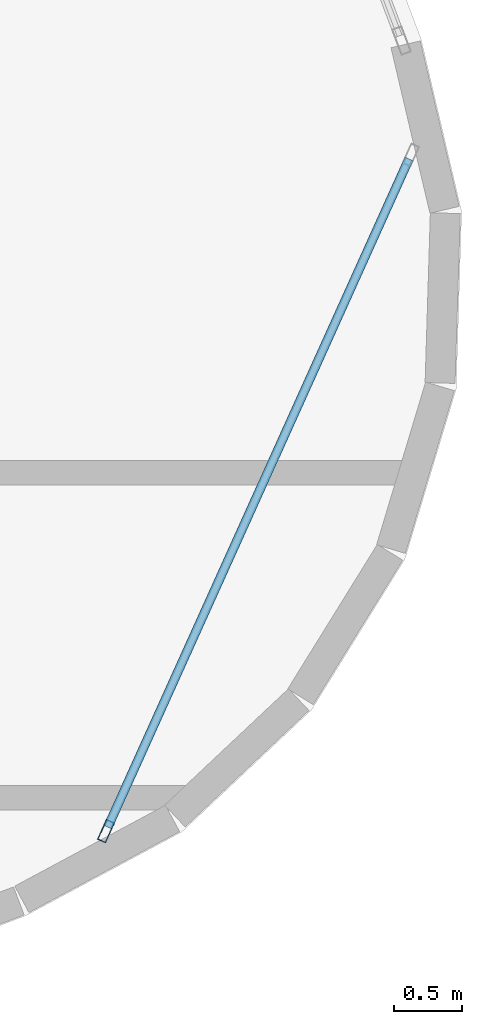
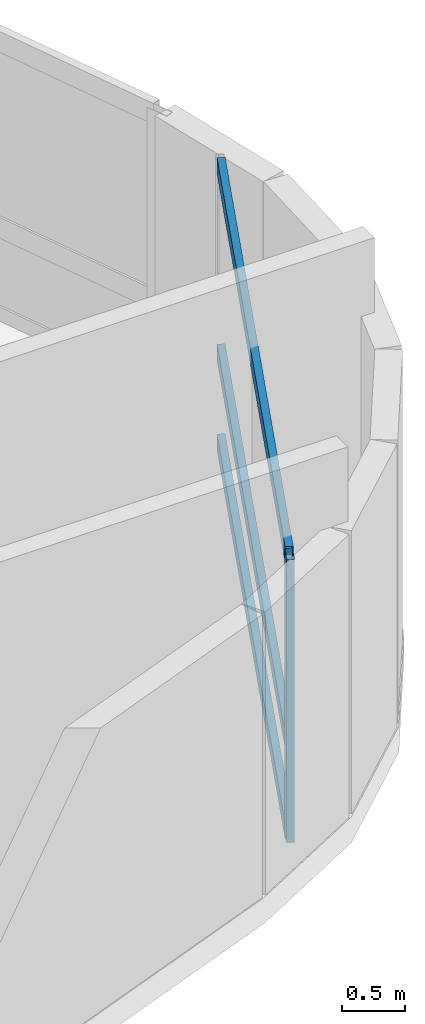
# One storey, part 13 of 24: 4 members, 1 element without a shape of its own.
"""IFC4 building model written with IfcOpenShell, lengths in metres."""

from ifc_helpers import new_model, si_unit, direction, frame, origin, origin_2d, place, context, subcontext, project, spatial, hollow_rectangle, extrude, material, layer, layer_set, material_profile, profile_set, type_object, element, aggregate, save


model = new_model("IFC4")

# Units and contexts
model_context = context("Model", 3, precision=1e-05, world=origin(), true_north=direction((0.0, 1.0)))
body_context = subcontext(model_context, "Body", "Model", "MODEL_VIEW")
ifc_project = project(units=[si_unit("LENGTHUNIT", "METRE"), si_unit("AREAUNIT", "SQUARE_METRE"), si_unit("VOLUMEUNIT", "CUBIC_METRE"), si_unit("PLANEANGLEUNIT", "RADIAN"), si_unit("MASSUNIT", "GRAM", prefix="KILO")], contexts=[model_context])

# Site, building, storey
site_placement = place(None, origin())
site = spatial("IfcSite", under=ifc_project, at=site_placement, CompositionType="ELEMENT")
building_placement = place(site_placement, origin())
building = spatial("IfcBuilding", under=site, at=building_placement, Name="Varnelok Gate Tower", CompositionType="ELEMENT")
storey_placement = place(building_placement, frame((0.0, 0.0, 242.300048828125)))
storey = spatial("IfcBuildingStorey", under=building, at=storey_placement, Name="L62", CompositionType="ELEMENT", Elevation=242.300048828125)

# Curtain wall, members
ifc_material = material(Name="Anodized Aluminum Alloy 6063-T6", Category="aluminium")
ifc_layer = layer(ifc_material, 0.179931640625)
ifc_layer_set = layer_set([ifc_layer], Name="Anodized Aluminum Alloy 6063-T6")
curtain_wall_type = type_object("IfcCurtainWallType", Name="CW5-WINDCORNER-GLAZ", PredefinedType="USERDEFINED", material=ifc_layer_set)
curtain_wall_placement = place(storey_placement, origin())
curtain_wall = element("IfcCurtainWall", 1, at=curtain_wall_placement, inside=storey, type_object=curtain_wall_type, Name="L62 Wind-Shaped Corner Curtain Wall SE", ObjectType="STRUCTURAL GLAZING", PredefinedType="USERDEFINED")
ifc_material_profile_1 = material_profile(ifc_material, hollow_rectangle(XDim=0.06494140625, YDim=0.159912109375, WallThickness=0.00390625, at=origin_2d()), Name="ALU160X65X4")
ifc_profile_set_1 = profile_set([ifc_material_profile_1], Name="Anodized Aluminum Alloy 6063-T6")
member_type_1 = type_object("IfcMemberType", Name="CW-MULL-160", PredefinedType="MULLION", material=ifc_profile_set_1)
member_1_placement = place(storey_placement, frame((73.3642578125, 16.606201171875, 0.0), z_axis=(0.0, 0.0, 1.0), x_axis=(-0.911662816164, 0.410939058285, 0.0)))
member_1 = element("IfcMember", 2, at=member_1_placement, type_object=member_type_1, Name="CW5 mullion 1", PredefinedType="MULLION", context=body_context, shape_type="SweptSolid", body=[
    extrude(hollow_rectangle(XDim=0.06494140625, YDim=0.159912109375, WallThickness=0.00390625, at=origin_2d()), origin(), (0.0, 0.0, 1.0), 2.72998046875),
])
ifc_material_profile_2 = material_profile(ifc_material, hollow_rectangle(XDim=0.06494140625, YDim=0.159912109375, WallThickness=0.00390625, at=origin_2d()), Name="ALU160X65X4")
ifc_profile_set_2 = profile_set([ifc_material_profile_2], Name="Anodized Aluminum Alloy 6063-T6")
member_type_2 = type_object("IfcMemberType", Name="CW-TRAN-160", PredefinedType="USERDEFINED", material=ifc_profile_set_2)
member_2_placement = place(storey_placement, frame((73.377685546875, 16.6357421875, 0.032470703125), z_axis=(0.410911255745, 0.911675347863, 0.0), x_axis=(-0.911675347863, 0.410911255745, 0.0)))
member_2 = element("IfcMember", 3, at=member_2_placement, type_object=member_type_2, Name="CW5 transom 1.1", ObjectType="TRANSOM", PredefinedType="USERDEFINED", context=body_context, shape_type="SweptSolid", body=[
    extrude(hollow_rectangle(XDim=0.06494140625, YDim=0.159912109375, WallThickness=0.00390625, at=origin_2d()), origin(), (0.0, 0.0, 1.0), 5.38525390625),
])
member_3_placement = place(storey_placement, frame((73.377685546875, 16.6357421875, 0.89990234375), z_axis=(0.410911255745, 0.911675347863, 0.0), x_axis=(-0.911675347863, 0.410911255745, 0.0)))
member_3 = element("IfcMember", 4, at=member_3_placement, type_object=member_type_2, Name="CW5 transom 1.2", ObjectType="TRANSOM", PredefinedType="USERDEFINED", context=body_context, shape_type="SweptSolid", body=[
    extrude(hollow_rectangle(XDim=0.06494140625, YDim=0.159912109375, WallThickness=0.00390625, at=origin_2d()), origin(), (0.0, 0.0, 1.0), 5.38525390625),
])
member_4_placement = place(storey_placement, frame((73.377685546875, 16.6357421875, 2.697509765625), z_axis=(0.410911255745, 0.911675347863, 0.0), x_axis=(-0.911675347863, 0.410911255745, 0.0)))
member_4 = element("IfcMember", 5, at=member_4_placement, type_object=member_type_2, Name="CW5 transom 1.3", ObjectType="TRANSOM", PredefinedType="USERDEFINED", context=body_context, shape_type="SweptSolid", body=[
    extrude(hollow_rectangle(XDim=0.06494140625, YDim=0.159912109375, WallThickness=0.00390625, at=origin_2d()), origin(), (0.0, 0.0, 1.0), 5.38525390625),
])
aggregate(curtain_wall, [member_1, member_2, member_3, member_4])

save(model, "model.ifc")
